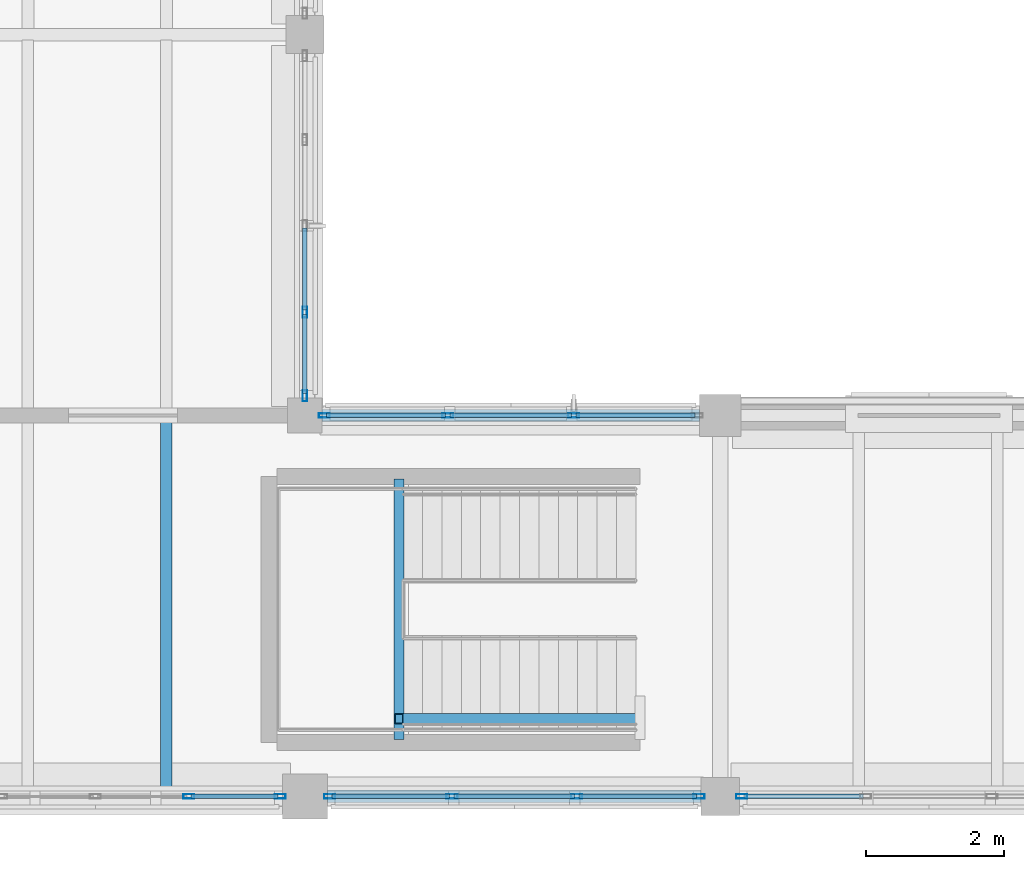
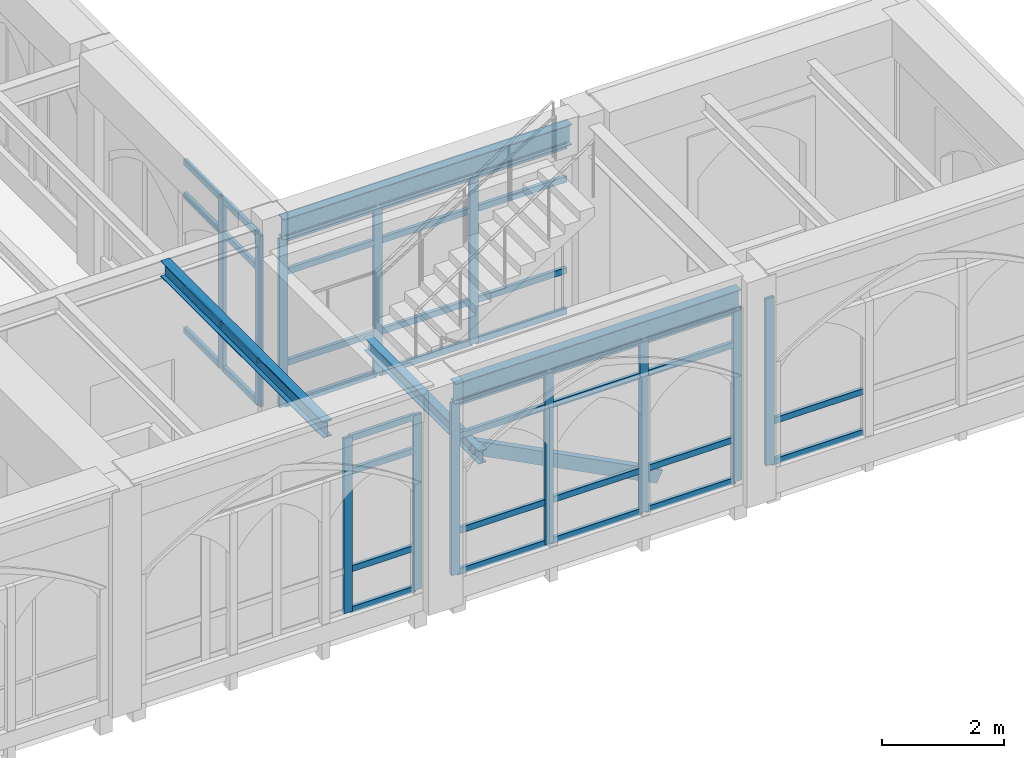
# One storey, part 36 of 127: 51 members, 4 beams, 5 elements without a shape of their own.
"""IFC4 building model written with IfcOpenShell, lengths in metres."""

from ifc_helpers import new_model, si_unit, direction, frame, origin, origin_2d, place, context, subcontext, project, spatial, hollow_rectangle, i_section, extrude, material, layer, layer_set, material_profile, profile_set, type_object, element, aggregate, save


model = new_model("IFC4")

# Units and contexts
model_context = context("Model", 3, precision=1e-05, world=origin(), true_north=direction((0.0, 1.0)))
body_context = subcontext(model_context, "Body", "Model", "MODEL_VIEW")
ifc_project = project(units=[si_unit("LENGTHUNIT", "METRE"), si_unit("AREAUNIT", "SQUARE_METRE"), si_unit("VOLUMEUNIT", "CUBIC_METRE"), si_unit("PLANEANGLEUNIT", "RADIAN"), si_unit("MASSUNIT", "GRAM", prefix="KILO")], contexts=[model_context])

# Site, building, storey
site_placement = place(None, origin())
site = spatial("IfcSite", under=ifc_project, at=site_placement, CompositionType="ELEMENT")
building_placement = place(site_placement, origin())
building = spatial("IfcBuilding", under=site, at=building_placement, Name="Cumevento Cable Car Station", CompositionType="ELEMENT")
storey_placement = place(building_placement, frame((0.0, 0.0, 4.5)))
storey = spatial("IfcBuildingStorey", under=building, at=storey_placement, Name="L02", CompositionType="ELEMENT", Elevation=4.5)

# Curtain wall, members
ifc_material_1 = material(Name="Anodised Bronze Aluminium AW-6063-T6", Category="aluminium")
ifc_layer_1 = layer(ifc_material_1, 0.23193359375)
ifc_layer_set_1 = layer_set([ifc_layer_1], Name="Anodised Bronze Aluminium AW-6063-T6")
curtain_wall_type_1 = type_object("IfcCurtainWallType", Name="Lancet Curtain Wall CW-13 1530", PredefinedType="NOTDEFINED", material=ifc_layer_set_1)
curtain_wall_1_placement = place(storey_placement, origin())
curtain_wall_1 = element("IfcCurtainWall", 1, at=curtain_wall_1_placement, inside=storey, type_object=curtain_wall_type_1, Name="Lancet Curtain Wall CW-13 L02 #28", PredefinedType="NOTDEFINED")
ifc_material_2 = material(Name="Anodised Bronze Aluminium AW-6063-T6", Category="aluminium")
ifc_material_profile_1 = material_profile(ifc_material_2, hollow_rectangle(XDim=0.06494140625, YDim=0.159912109375, WallThickness=0.00390625, at=origin_2d()), Name="ALUM65x160x4")
ifc_profile_set_1 = profile_set([ifc_material_profile_1], Name="Anodised Bronze Aluminium AW-6063-T6")
member_type_1 = type_object("IfcMemberType", Name="Curtain Mullion CWM-01 ALUM65x160x4", PredefinedType="MULLION", material=ifc_profile_set_1)
member_1_placement = place(storey_placement, frame((69.642578125, 4.0, 0.360107421875), z_axis=(0.0, 0.0, 1.0), x_axis=(0.0, -1.0, 0.0)))
member_1 = element("IfcMember", 2, at=member_1_placement, type_object=member_type_1, Name="CW-13 mullion 1", PredefinedType="MULLION", context=body_context, shape_type="SweptSolid", body=[
    extrude(hollow_rectangle(XDim=0.06494140625, YDim=0.159912109375, WallThickness=0.00390625, at=origin_2d()), origin(), (0.0, 0.0, 1.0), 3.496826171875),
])
member_2_placement = place(storey_placement, frame((68.324951171875, 4.0, 0.360107421875), z_axis=(0.0, 0.0, 1.0), x_axis=(0.0, -1.0, 0.0)))
member_2 = element("IfcMember", 3, at=member_2_placement, type_object=member_type_1, Name="CW-13 mullion 2", PredefinedType="MULLION", context=body_context, shape_type="SweptSolid", body=[
    extrude(hollow_rectangle(XDim=0.06494140625, YDim=0.159912109375, WallThickness=0.00390625, at=origin_2d()), origin(), (0.0, 0.0, 1.0), 3.496826171875),
])

ifc_material_3 = material(Name="Anodised Bronze Aluminium AW-6063-T6", Category="aluminium")
ifc_layer_2 = layer(ifc_material_3, 0.238037109375)
ifc_layer_set_2 = layer_set([ifc_layer_2], Name="Anodised Bronze Aluminium AW-6063-T6")
curtain_wall_type_2 = type_object("IfcCurtainWallType", Name="Lancet Curtain Wall CW-14 1570", PredefinedType="NOTDEFINED", material=ifc_layer_set_2)
curtain_wall_2_placement = place(storey_placement, origin())
curtain_wall_2 = element("IfcCurtainWall", 4, at=curtain_wall_2_placement, inside=storey, type_object=curtain_wall_type_2, Name="Lancet Curtain Wall CW-14 L02 #29", PredefinedType="NOTDEFINED")
member_3_placement = place(storey_placement, frame((75.6923828125, 4.0, 0.409912109375), z_axis=(0.0, 0.0, 1.0), x_axis=(0.0, -1.0, 0.0)))
member_3 = element("IfcMember", 5, at=member_3_placement, type_object=member_type_1, Name="CW-14 mullion 1", PredefinedType="MULLION", context=body_context, shape_type="SweptSolid", body=[
    extrude(hollow_rectangle(XDim=0.06494140625, YDim=0.159912109375, WallThickness=0.00390625, at=origin_2d()), origin(), (0.0, 0.0, 1.0), 3.447021484375),
])
member_4_placement = place(storey_placement, frame((73.925048828125, 4.0, 0.409912109375), z_axis=(0.0, 0.0, 1.0), x_axis=(0.0, -1.0, 0.0)))
member_4 = element("IfcMember", 6, at=member_4_placement, type_object=member_type_1, Name="CW-14 mullion 2", PredefinedType="MULLION", context=body_context, shape_type="SweptSolid", body=[
    extrude(hollow_rectangle(XDim=0.06494140625, YDim=0.159912109375, WallThickness=0.00390625, at=origin_2d()), origin(), (0.0, 0.0, 1.0), 3.447021484375),
])
member_5_placement = place(storey_placement, frame((72.125, 4.0, 0.409912109375), z_axis=(0.0, 0.0, 1.0), x_axis=(0.0, -1.0, 0.0)))
member_5 = element("IfcMember", 7, at=member_5_placement, type_object=member_type_1, Name="CW-14 mullion 3", PredefinedType="MULLION", context=body_context, shape_type="SweptSolid", body=[
    extrude(hollow_rectangle(XDim=0.06494140625, YDim=0.159912109375, WallThickness=0.00390625, at=origin_2d()), origin(), (0.0, 0.0, 1.0), 3.447021484375),
])
member_6_placement = place(storey_placement, frame((70.357421875, 4.0, 0.409912109375), z_axis=(0.0, 0.0, 1.0), x_axis=(0.0, -1.0, 0.0)))
member_6 = element("IfcMember", 8, at=member_6_placement, type_object=member_type_1, Name="CW-14 mullion 4", PredefinedType="MULLION", context=body_context, shape_type="SweptSolid", body=[
    extrude(hollow_rectangle(XDim=0.06494140625, YDim=0.159912109375, WallThickness=0.00390625, at=origin_2d()), origin(), (0.0, 0.0, 1.0), 3.447021484375),
])

ifc_material_4 = material(Name="Anodised Bronze Aluminium AW-6063-T6", Category="aluminium")
ifc_layer_3 = layer(ifc_material_4, 0.243896484375)
ifc_layer_set_3 = layer_set([ifc_layer_3], Name="Anodised Bronze Aluminium AW-6063-T6")
curtain_wall_type_3 = type_object("IfcCurtainWallType", Name="Lancet Curtain Wall CW-15 1610", PredefinedType="NOTDEFINED", material=ifc_layer_set_3)
curtain_wall_3_placement = place(storey_placement, origin())
curtain_wall_3 = element("IfcCurtainWall", 9, at=curtain_wall_3_placement, inside=storey, type_object=curtain_wall_type_3, Name="Lancet Curtain Wall CW-15 L02 #30", PredefinedType="NOTDEFINED")
member_7_placement = place(storey_placement, frame((70.282470703125, 9.5, 0.4599609375), z_axis=(0.0, 0.0, 1.0), x_axis=(0.0, 1.0, 0.0)))
member_7 = element("IfcMember", 10, at=member_7_placement, type_object=member_type_1, Name="CW-15 mullion 1", PredefinedType="MULLION", context=body_context, shape_type="SweptSolid", body=[
    extrude(hollow_rectangle(XDim=0.06494140625, YDim=0.159912109375, WallThickness=0.00390625, at=origin_2d()), origin(), (0.0, 0.0, 1.0), 3.373046875),
])
member_8_placement = place(storey_placement, frame((72.066650390625, 9.5, 0.4599609375), z_axis=(0.0, 0.0, 1.0), x_axis=(0.0, 1.0, 0.0)))
member_8 = element("IfcMember", 11, at=member_8_placement, type_object=member_type_1, Name="CW-15 mullion 2", PredefinedType="MULLION", context=body_context, shape_type="SweptSolid", body=[
    extrude(hollow_rectangle(XDim=0.06494140625, YDim=0.159912109375, WallThickness=0.00390625, at=origin_2d()), origin(), (0.0, 0.0, 1.0), 3.373046875),
])
member_9_placement = place(storey_placement, frame((73.88330078125, 9.5, 0.4599609375), z_axis=(0.0, 0.0, 1.0), x_axis=(0.0, 1.0, 0.0)))
member_9 = element("IfcMember", 12, at=member_9_placement, type_object=member_type_1, Name="CW-15 mullion 3", PredefinedType="MULLION", context=body_context, shape_type="SweptSolid", body=[
    extrude(hollow_rectangle(XDim=0.06494140625, YDim=0.159912109375, WallThickness=0.00390625, at=origin_2d()), origin(), (0.0, 0.0, 1.0), 3.373046875),
])

# Curtain wall, member
ifc_material_5 = material(Name="Anodised Bronze Aluminium AW-6063-T6", Category="aluminium")
ifc_layer_4 = layer(ifc_material_5, 0.25)
ifc_layer_set_4 = layer_set([ifc_layer_4], Name="Anodised Bronze Aluminium AW-6063-T6")
curtain_wall_type_4 = type_object("IfcCurtainWallType", Name="Lancet Curtain Wall CW-16 1650", PredefinedType="NOTDEFINED", material=ifc_layer_set_4)
curtain_wall_4_placement = place(storey_placement, origin())
curtain_wall_4 = element("IfcCurtainWall", 13, at=curtain_wall_4_placement, inside=storey, type_object=curtain_wall_type_4, Name="Lancet Curtain Wall CW-16 L02 #31", PredefinedType="NOTDEFINED")
member_10_placement = place(storey_placement, frame((76.3076171875, 4.0, 0.52001953125), z_axis=(0.0, 0.0, 1.0), x_axis=(0.0, -1.0, 0.0)))
member_10 = element("IfcMember", 14, at=member_10_placement, type_object=member_type_1, Name="CW-16 mullion 4", PredefinedType="MULLION", context=body_context, shape_type="SweptSolid", body=[
    extrude(hollow_rectangle(XDim=0.06494140625, YDim=0.159912109375, WallThickness=0.00390625, at=origin_2d()), origin(), (0.0, 0.0, 1.0), 3.3369140625),
])

# Curtain wall, members
ifc_material_6 = material(Name="Anodised Bronze Aluminium AW-6063-T6", Category="aluminium")
ifc_layer_5 = layer(ifc_material_6, 0.18994140625)
ifc_layer_set_5 = layer_set([ifc_layer_5], Name="Anodised Bronze Aluminium AW-6063-T6")
curtain_wall_type_5 = type_object("IfcCurtainWallType", Name="Lancet Curtain Wall CW-06 1250", PredefinedType="NOTDEFINED", material=ifc_layer_set_5)
curtain_wall_5_placement = place(storey_placement, origin())
curtain_wall_5 = element("IfcCurtainWall", 15, at=curtain_wall_5_placement, inside=storey, type_object=curtain_wall_type_5, Name="Lancet Curtain Wall CW-06 L02 #37", PredefinedType="NOTDEFINED")
member_11_placement = place(storey_placement, frame((70.0, 10.99365234375, 0.409912109375), z_axis=(0.0, 0.0, 1.0), x_axis=(1.0, 0.0, 0.0)))
member_11 = element("IfcMember", 16, at=member_11_placement, type_object=member_type_1, Name="CW-06 mullion 4", PredefinedType="MULLION", context=body_context, shape_type="SweptSolid", body=[
    extrude(hollow_rectangle(XDim=0.06494140625, YDim=0.159912109375, WallThickness=0.00390625, at=origin_2d()), origin(), (0.0, 0.0, 1.0), 3.423095703125),
])
member_12_placement = place(storey_placement, frame((70.0, 9.782470703125, 0.409912109375), z_axis=(0.0, 0.0, 1.0), x_axis=(1.0, 0.0, 0.0)))
member_12 = element("IfcMember", 17, at=member_12_placement, type_object=member_type_1, Name="CW-06 mullion 5", PredefinedType="MULLION", context=body_context, shape_type="SweptSolid", body=[
    extrude(hollow_rectangle(XDim=0.06494140625, YDim=0.159912109375, WallThickness=0.00390625, at=origin_2d()), origin(), (0.0, 0.0, 1.0), 3.423095703125),
])

# Member
ifc_material_7 = material(Name="Anodised Bronze Aluminium AW-6063-T6", Category="aluminium")
ifc_material_profile_2 = material_profile(ifc_material_7, hollow_rectangle(XDim=0.06494140625, YDim=0.1201171875, WallThickness=0.00390625, at=origin_2d()), Name="ALUT65x120x4")
ifc_profile_set_2 = profile_set([ifc_material_profile_2], Name="Anodised Bronze Aluminium AW-6063-T6")
member_type_2 = type_object("IfcMemberType", Name="Curtain Transom CWT-01 ALUT65x120x4", PredefinedType="USERDEFINED", material=ifc_profile_set_2)
member_13_placement = place(storey_placement, frame((69.610107421875, 4.0, 0.392578125), z_axis=(-1.0, 0.0, 0.0), x_axis=(0.0, -1.0, 0.0)))
member_13 = element("IfcMember", 18, at=member_13_placement, type_object=member_type_2, Name="CW-13 transom 1.1", ObjectType="TRANSOM", PredefinedType="USERDEFINED", context=body_context, shape_type="SweptSolid", body=[
    extrude(hollow_rectangle(XDim=0.06494140625, YDim=0.1201171875, WallThickness=0.00390625, at=origin_2d()), origin(), (0.0, 0.0, 1.0), 1.252685546875),
])

member_14_placement = place(storey_placement, frame((69.610107421875, 4.0, 1.2099609375), z_axis=(-1.0, 0.0, 0.0), x_axis=(0.0, -1.0, 0.0)))
member_14 = element("IfcMember", 19, at=member_14_placement, type_object=member_type_2, Name="CW-13 transom 1.2", ObjectType="TRANSOM", PredefinedType="USERDEFINED", context=body_context, shape_type="SweptSolid", body=[
    extrude(hollow_rectangle(XDim=0.06494140625, YDim=0.1201171875, WallThickness=0.00390625, at=origin_2d()), origin(), (0.0, 0.0, 1.0), 1.252685546875),
])

member_15_placement = place(storey_placement, frame((69.610107421875, 4.0, 3.156982421875), z_axis=(-1.0, 0.0, 0.0), x_axis=(0.0, -1.0, 0.0)))
member_15 = element("IfcMember", 20, at=member_15_placement, type_object=member_type_2, Name="CW-13 transom 1.3", ObjectType="TRANSOM", PredefinedType="USERDEFINED", context=body_context, shape_type="SweptSolid", body=[
    extrude(hollow_rectangle(XDim=0.06494140625, YDim=0.1201171875, WallThickness=0.00390625, at=origin_2d()), origin(), (0.0, 0.0, 1.0), 1.252685546875),
])

member_16_placement = place(storey_placement, frame((69.610107421875, 4.0, 3.824462890625), z_axis=(-1.0, 0.0, 0.0), x_axis=(0.0, -1.0, 0.0)))
member_16 = element("IfcMember", 21, at=member_16_placement, type_object=member_type_2, Name="CW-13 transom 1.4", ObjectType="TRANSOM", PredefinedType="USERDEFINED", context=body_context, shape_type="SweptSolid", body=[
    extrude(hollow_rectangle(XDim=0.06494140625, YDim=0.1201171875, WallThickness=0.00390625, at=origin_2d()), origin(), (0.0, 0.0, 1.0), 1.252685546875),
])

aggregate(curtain_wall_1, [member_1, member_2, member_13, member_14, member_15, member_16])

member_17_placement = place(storey_placement, frame((75.659912109375, 4.0, 0.4423828125), z_axis=(-1.0, 0.0, 0.0), x_axis=(0.0, -1.0, 0.0)))
member_17 = element("IfcMember", 22, at=member_17_placement, type_object=member_type_2, Name="CW-14 transom 1.1", ObjectType="TRANSOM", PredefinedType="USERDEFINED", context=body_context, shape_type="SweptSolid", body=[
    extrude(hollow_rectangle(XDim=0.06494140625, YDim=0.1201171875, WallThickness=0.00390625, at=origin_2d()), origin(), (0.0, 0.0, 1.0), 1.702392578125),
])

member_18_placement = place(storey_placement, frame((75.659912109375, 4.0, 1.260009765625), z_axis=(-1.0, 0.0, 0.0), x_axis=(0.0, -1.0, 0.0)))
member_18 = element("IfcMember", 23, at=member_18_placement, type_object=member_type_2, Name="CW-14 transom 1.2", ObjectType="TRANSOM", PredefinedType="USERDEFINED", context=body_context, shape_type="SweptSolid", body=[
    extrude(hollow_rectangle(XDim=0.06494140625, YDim=0.1201171875, WallThickness=0.00390625, at=origin_2d()), origin(), (0.0, 0.0, 1.0), 1.702392578125),
])

member_19_placement = place(storey_placement, frame((75.659912109375, 4.0, 3.156982421875), z_axis=(-1.0, 0.0, 0.0), x_axis=(0.0, -1.0, 0.0)))
member_19 = element("IfcMember", 24, at=member_19_placement, type_object=member_type_2, Name="CW-14 transom 1.3", ObjectType="TRANSOM", PredefinedType="USERDEFINED", context=body_context, shape_type="SweptSolid", body=[
    extrude(hollow_rectangle(XDim=0.06494140625, YDim=0.1201171875, WallThickness=0.00390625, at=origin_2d()), origin(), (0.0, 0.0, 1.0), 1.702392578125),
])

member_20_placement = place(storey_placement, frame((75.659912109375, 4.0, 3.824462890625), z_axis=(-1.0, 0.0, 0.0), x_axis=(0.0, -1.0, 0.0)))
member_20 = element("IfcMember", 25, at=member_20_placement, type_object=member_type_2, Name="CW-14 transom 1.4", ObjectType="TRANSOM", PredefinedType="USERDEFINED", context=body_context, shape_type="SweptSolid", body=[
    extrude(hollow_rectangle(XDim=0.06494140625, YDim=0.1201171875, WallThickness=0.00390625, at=origin_2d()), origin(), (0.0, 0.0, 1.0), 1.702392578125),
])

member_21_placement = place(storey_placement, frame((73.892578125, 4.0, 0.4423828125), z_axis=(-1.0, 0.0, 0.0), x_axis=(0.0, -1.0, 0.0)))
member_21 = element("IfcMember", 26, at=member_21_placement, type_object=member_type_2, Name="CW-14 transom 2.1", ObjectType="TRANSOM", PredefinedType="USERDEFINED", context=body_context, shape_type="SweptSolid", body=[
    extrude(hollow_rectangle(XDim=0.06494140625, YDim=0.1201171875, WallThickness=0.00390625, at=origin_2d()), origin(), (0.0, 0.0, 1.0), 1.735107421875),
])

member_22_placement = place(storey_placement, frame((73.892578125, 4.0, 1.260009765625), z_axis=(-1.0, 0.0, 0.0), x_axis=(0.0, -1.0, 0.0)))
member_22 = element("IfcMember", 27, at=member_22_placement, type_object=member_type_2, Name="CW-14 transom 2.2", ObjectType="TRANSOM", PredefinedType="USERDEFINED", context=body_context, shape_type="SweptSolid", body=[
    extrude(hollow_rectangle(XDim=0.06494140625, YDim=0.1201171875, WallThickness=0.00390625, at=origin_2d()), origin(), (0.0, 0.0, 1.0), 1.735107421875),
])

member_23_placement = place(storey_placement, frame((73.892578125, 4.0, 3.156982421875), z_axis=(-1.0, 0.0, 0.0), x_axis=(0.0, -1.0, 0.0)))
member_23 = element("IfcMember", 28, at=member_23_placement, type_object=member_type_2, Name="CW-14 transom 2.3", ObjectType="TRANSOM", PredefinedType="USERDEFINED", context=body_context, shape_type="SweptSolid", body=[
    extrude(hollow_rectangle(XDim=0.06494140625, YDim=0.1201171875, WallThickness=0.00390625, at=origin_2d()), origin(), (0.0, 0.0, 1.0), 1.735107421875),
])

member_24_placement = place(storey_placement, frame((73.892578125, 4.0, 3.824462890625), z_axis=(-1.0, 0.0, 0.0), x_axis=(0.0, -1.0, 0.0)))
member_24 = element("IfcMember", 29, at=member_24_placement, type_object=member_type_2, Name="CW-14 transom 2.4", ObjectType="TRANSOM", PredefinedType="USERDEFINED", context=body_context, shape_type="SweptSolid", body=[
    extrude(hollow_rectangle(XDim=0.06494140625, YDim=0.1201171875, WallThickness=0.00390625, at=origin_2d()), origin(), (0.0, 0.0, 1.0), 1.735107421875),
])

member_25_placement = place(storey_placement, frame((72.092529296875, 4.0, 0.4423828125), z_axis=(-1.0, 0.0, 0.0), x_axis=(0.0, -1.0, 0.0)))
member_25 = element("IfcMember", 30, at=member_25_placement, type_object=member_type_2, Name="CW-14 transom 3.1", ObjectType="TRANSOM", PredefinedType="USERDEFINED", context=body_context, shape_type="SweptSolid", body=[
    extrude(hollow_rectangle(XDim=0.06494140625, YDim=0.1201171875, WallThickness=0.00390625, at=origin_2d()), origin(), (0.0, 0.0, 1.0), 1.70263671875),
])

member_26_placement = place(storey_placement, frame((72.092529296875, 4.0, 1.260009765625), z_axis=(-1.0, 0.0, 0.0), x_axis=(0.0, -1.0, 0.0)))
member_26 = element("IfcMember", 31, at=member_26_placement, type_object=member_type_2, Name="CW-14 transom 3.2", ObjectType="TRANSOM", PredefinedType="USERDEFINED", context=body_context, shape_type="SweptSolid", body=[
    extrude(hollow_rectangle(XDim=0.06494140625, YDim=0.1201171875, WallThickness=0.00390625, at=origin_2d()), origin(), (0.0, 0.0, 1.0), 1.70263671875),
])

member_27_placement = place(storey_placement, frame((72.092529296875, 4.0, 3.156982421875), z_axis=(-1.0, 0.0, 0.0), x_axis=(0.0, -1.0, 0.0)))
member_27 = element("IfcMember", 32, at=member_27_placement, type_object=member_type_2, Name="CW-14 transom 3.3", ObjectType="TRANSOM", PredefinedType="USERDEFINED", context=body_context, shape_type="SweptSolid", body=[
    extrude(hollow_rectangle(XDim=0.06494140625, YDim=0.1201171875, WallThickness=0.00390625, at=origin_2d()), origin(), (0.0, 0.0, 1.0), 1.70263671875),
])

member_28_placement = place(storey_placement, frame((72.092529296875, 4.0, 3.824462890625), z_axis=(-1.0, 0.0, 0.0), x_axis=(0.0, -1.0, 0.0)))
member_28 = element("IfcMember", 33, at=member_28_placement, type_object=member_type_2, Name="CW-14 transom 3.4", ObjectType="TRANSOM", PredefinedType="USERDEFINED", context=body_context, shape_type="SweptSolid", body=[
    extrude(hollow_rectangle(XDim=0.06494140625, YDim=0.1201171875, WallThickness=0.00390625, at=origin_2d()), origin(), (0.0, 0.0, 1.0), 1.70263671875),
])

aggregate(curtain_wall_2, [member_3, member_4, member_5, member_6, member_17, member_18, member_19, member_20, member_21, member_22, member_23, member_24, member_25, member_26, member_27, member_28])

member_29_placement = place(storey_placement, frame((70.31494140625, 9.5, 0.492431640625), z_axis=(1.0, 0.0, 0.0), x_axis=(0.0, 1.0, 0.0)))
member_29 = element("IfcMember", 34, at=member_29_placement, type_object=member_type_2, Name="CW-15 transom 1.1", ObjectType="TRANSOM", PredefinedType="USERDEFINED", context=body_context, shape_type="SweptSolid", body=[
    extrude(hollow_rectangle(XDim=0.06494140625, YDim=0.1201171875, WallThickness=0.00390625, at=origin_2d()), origin(), (0.0, 0.0, 1.0), 1.71923828125),
])

member_30_placement = place(storey_placement, frame((70.31494140625, 9.5, 1.31005859375), z_axis=(1.0, 0.0, 0.0), x_axis=(0.0, 1.0, 0.0)))
member_30 = element("IfcMember", 35, at=member_30_placement, type_object=member_type_2, Name="CW-15 transom 1.2", ObjectType="TRANSOM", PredefinedType="USERDEFINED", context=body_context, shape_type="SweptSolid", body=[
    extrude(hollow_rectangle(XDim=0.06494140625, YDim=0.1201171875, WallThickness=0.00390625, at=origin_2d()), origin(), (0.0, 0.0, 1.0), 1.71923828125),
])

member_31_placement = place(storey_placement, frame((70.31494140625, 9.5, 3.133056640625), z_axis=(1.0, 0.0, 0.0), x_axis=(0.0, 1.0, 0.0)))
member_31 = element("IfcMember", 36, at=member_31_placement, type_object=member_type_2, Name="CW-15 transom 1.3", ObjectType="TRANSOM", PredefinedType="USERDEFINED", context=body_context, shape_type="SweptSolid", body=[
    extrude(hollow_rectangle(XDim=0.06494140625, YDim=0.1201171875, WallThickness=0.00390625, at=origin_2d()), origin(), (0.0, 0.0, 1.0), 1.71923828125),
])

member_32_placement = place(storey_placement, frame((70.31494140625, 9.5, 3.800537109375), z_axis=(1.0, 0.0, 0.0), x_axis=(0.0, 1.0, 0.0)))
member_32 = element("IfcMember", 37, at=member_32_placement, type_object=member_type_2, Name="CW-15 transom 1.4", ObjectType="TRANSOM", PredefinedType="USERDEFINED", context=body_context, shape_type="SweptSolid", body=[
    extrude(hollow_rectangle(XDim=0.06494140625, YDim=0.1201171875, WallThickness=0.00390625, at=origin_2d()), origin(), (0.0, 0.0, 1.0), 1.71923828125),
])

member_33_placement = place(storey_placement, frame((72.09912109375, 9.5, 0.492431640625), z_axis=(1.0, 0.0, 0.0), x_axis=(0.0, 1.0, 0.0)))
member_33 = element("IfcMember", 38, at=member_33_placement, type_object=member_type_2, Name="CW-15 transom 2.1", ObjectType="TRANSOM", PredefinedType="USERDEFINED", context=body_context, shape_type="SweptSolid", body=[
    extrude(hollow_rectangle(XDim=0.06494140625, YDim=0.1201171875, WallThickness=0.00390625, at=origin_2d()), origin(), (0.0, 0.0, 1.0), 1.751708984375),
])

member_34_placement = place(storey_placement, frame((72.09912109375, 9.5, 1.31005859375), z_axis=(1.0, 0.0, 0.0), x_axis=(0.0, 1.0, 0.0)))
member_34 = element("IfcMember", 39, at=member_34_placement, type_object=member_type_2, Name="CW-15 transom 2.2", ObjectType="TRANSOM", PredefinedType="USERDEFINED", context=body_context, shape_type="SweptSolid", body=[
    extrude(hollow_rectangle(XDim=0.06494140625, YDim=0.1201171875, WallThickness=0.00390625, at=origin_2d()), origin(), (0.0, 0.0, 1.0), 1.751708984375),
])

member_35_placement = place(storey_placement, frame((72.09912109375, 9.5, 3.133056640625), z_axis=(1.0, 0.0, 0.0), x_axis=(0.0, 1.0, 0.0)))
member_35 = element("IfcMember", 40, at=member_35_placement, type_object=member_type_2, Name="CW-15 transom 2.3", ObjectType="TRANSOM", PredefinedType="USERDEFINED", context=body_context, shape_type="SweptSolid", body=[
    extrude(hollow_rectangle(XDim=0.06494140625, YDim=0.1201171875, WallThickness=0.00390625, at=origin_2d()), origin(), (0.0, 0.0, 1.0), 1.751708984375),
])

member_36_placement = place(storey_placement, frame((72.09912109375, 9.5, 3.800537109375), z_axis=(1.0, 0.0, 0.0), x_axis=(0.0, 1.0, 0.0)))
member_36 = element("IfcMember", 41, at=member_36_placement, type_object=member_type_2, Name="CW-15 transom 2.4", ObjectType="TRANSOM", PredefinedType="USERDEFINED", context=body_context, shape_type="SweptSolid", body=[
    extrude(hollow_rectangle(XDim=0.06494140625, YDim=0.1201171875, WallThickness=0.00390625, at=origin_2d()), origin(), (0.0, 0.0, 1.0), 1.751708984375),
])

member_37_placement = place(storey_placement, frame((73.915771484375, 9.5, 0.492431640625), z_axis=(1.0, 0.0, 0.0), x_axis=(0.0, 1.0, 0.0)))
member_37 = element("IfcMember", 42, at=member_37_placement, type_object=member_type_2, Name="CW-15 transom 3.1", ObjectType="TRANSOM", PredefinedType="USERDEFINED", context=body_context, shape_type="SweptSolid", body=[
    extrude(hollow_rectangle(XDim=0.06494140625, YDim=0.1201171875, WallThickness=0.00390625, at=origin_2d()), origin(), (0.0, 0.0, 1.0), 1.71923828125),
])

member_38_placement = place(storey_placement, frame((73.915771484375, 9.5, 1.31005859375), z_axis=(1.0, 0.0, 0.0), x_axis=(0.0, 1.0, 0.0)))
member_38 = element("IfcMember", 43, at=member_38_placement, type_object=member_type_2, Name="CW-15 transom 3.2", ObjectType="TRANSOM", PredefinedType="USERDEFINED", context=body_context, shape_type="SweptSolid", body=[
    extrude(hollow_rectangle(XDim=0.06494140625, YDim=0.1201171875, WallThickness=0.00390625, at=origin_2d()), origin(), (0.0, 0.0, 1.0), 1.71923828125),
])

member_39_placement = place(storey_placement, frame((73.915771484375, 9.5, 3.133056640625), z_axis=(1.0, 0.0, 0.0), x_axis=(0.0, 1.0, 0.0)))
member_39 = element("IfcMember", 44, at=member_39_placement, type_object=member_type_2, Name="CW-15 transom 3.3", ObjectType="TRANSOM", PredefinedType="USERDEFINED", context=body_context, shape_type="SweptSolid", body=[
    extrude(hollow_rectangle(XDim=0.06494140625, YDim=0.1201171875, WallThickness=0.00390625, at=origin_2d()), origin(), (0.0, 0.0, 1.0), 1.71923828125),
])

member_40_placement = place(storey_placement, frame((73.915771484375, 9.5, 3.800537109375), z_axis=(1.0, 0.0, 0.0), x_axis=(0.0, 1.0, 0.0)))
member_40 = element("IfcMember", 45, at=member_40_placement, type_object=member_type_2, Name="CW-15 transom 3.4", ObjectType="TRANSOM", PredefinedType="USERDEFINED", context=body_context, shape_type="SweptSolid", body=[
    extrude(hollow_rectangle(XDim=0.06494140625, YDim=0.1201171875, WallThickness=0.00390625, at=origin_2d()), origin(), (0.0, 0.0, 1.0), 1.71923828125),
])

aggregate(curtain_wall_3, [member_7, member_8, member_9, member_29, member_30, member_31, member_32, member_33, member_34, member_35, member_36, member_37, member_38, member_39, member_40])

member_41_placement = place(storey_placement, frame((78.0673828125, 4.0, 0.552490234375), z_axis=(-1.0, 0.0, 0.0), x_axis=(0.0, -1.0, 0.0)))
member_41 = element("IfcMember", 46, at=member_41_placement, type_object=member_type_2, Name="CW-16 transom 3.1", ObjectType="TRANSOM", PredefinedType="USERDEFINED", context=body_context, shape_type="SweptSolid", body=[
    extrude(hollow_rectangle(XDim=0.06494140625, YDim=0.1201171875, WallThickness=0.00390625, at=origin_2d()), origin(), (0.0, 0.0, 1.0), 1.727294921875),
])

member_42_placement = place(storey_placement, frame((78.0673828125, 4.0, 1.3701171875), z_axis=(-1.0, 0.0, 0.0), x_axis=(0.0, -1.0, 0.0)))
member_42 = element("IfcMember", 47, at=member_42_placement, type_object=member_type_2, Name="CW-16 transom 3.2", ObjectType="TRANSOM", PredefinedType="USERDEFINED", context=body_context, shape_type="SweptSolid", body=[
    extrude(hollow_rectangle(XDim=0.06494140625, YDim=0.1201171875, WallThickness=0.00390625, at=origin_2d()), origin(), (0.0, 0.0, 1.0), 1.727294921875),
])

aggregate(curtain_wall_4, [member_10, member_41, member_42])

member_43_placement = place(storey_placement, frame((70.0, 12.205078125, 0.4423828125), z_axis=(0.0, -1.0, 0.0), x_axis=(1.0, 0.0, 0.0)))
member_43 = element("IfcMember", 48, at=member_43_placement, type_object=member_type_2, Name="CW-06 transom 3.1", ObjectType="TRANSOM", PredefinedType="USERDEFINED", context=body_context, shape_type="SweptSolid", body=[
    extrude(hollow_rectangle(XDim=0.06494140625, YDim=0.1201171875, WallThickness=0.00390625, at=origin_2d()), origin(), (0.0, 0.0, 1.0), 1.1787109375),
])

member_44_placement = place(storey_placement, frame((70.0, 12.205078125, 1.260009765625), z_axis=(0.0, -1.0, 0.0), x_axis=(1.0, 0.0, 0.0)))
member_44 = element("IfcMember", 49, at=member_44_placement, type_object=member_type_2, Name="CW-06 transom 3.2", ObjectType="TRANSOM", PredefinedType="USERDEFINED", context=body_context, shape_type="SweptSolid", body=[
    extrude(hollow_rectangle(XDim=0.06494140625, YDim=0.1201171875, WallThickness=0.00390625, at=origin_2d()), origin(), (0.0, 0.0, 1.0), 1.1787109375),
])

member_45_placement = place(storey_placement, frame((70.0, 12.205078125, 3.133056640625), z_axis=(0.0, -1.0, 0.0), x_axis=(1.0, 0.0, 0.0)))
member_45 = element("IfcMember", 50, at=member_45_placement, type_object=member_type_2, Name="CW-06 transom 3.3", ObjectType="TRANSOM", PredefinedType="USERDEFINED", context=body_context, shape_type="SweptSolid", body=[
    extrude(hollow_rectangle(XDim=0.06494140625, YDim=0.1201171875, WallThickness=0.00390625, at=origin_2d()), origin(), (0.0, 0.0, 1.0), 1.1787109375),
])

member_46_placement = place(storey_placement, frame((70.0, 12.205078125, 3.800537109375), z_axis=(0.0, -1.0, 0.0), x_axis=(1.0, 0.0, 0.0)))
member_46 = element("IfcMember", 51, at=member_46_placement, type_object=member_type_2, Name="CW-06 transom 3.4", ObjectType="TRANSOM", PredefinedType="USERDEFINED", context=body_context, shape_type="SweptSolid", body=[
    extrude(hollow_rectangle(XDim=0.06494140625, YDim=0.1201171875, WallThickness=0.00390625, at=origin_2d()), origin(), (0.0, 0.0, 1.0), 1.1787109375),
])

member_47_placement = place(storey_placement, frame((70.0, 10.961181640625, 0.4423828125), z_axis=(0.0, -1.0, 0.0), x_axis=(1.0, 0.0, 0.0)))
member_47 = element("IfcMember", 52, at=member_47_placement, type_object=member_type_2, Name="CW-06 transom 4.1", ObjectType="TRANSOM", PredefinedType="USERDEFINED", context=body_context, shape_type="SweptSolid", body=[
    extrude(hollow_rectangle(XDim=0.06494140625, YDim=0.1201171875, WallThickness=0.00390625, at=origin_2d()), origin(), (0.0, 0.0, 1.0), 1.146240234375),
])

member_48_placement = place(storey_placement, frame((70.0, 10.961181640625, 1.260009765625), z_axis=(0.0, -1.0, 0.0), x_axis=(1.0, 0.0, 0.0)))
member_48 = element("IfcMember", 53, at=member_48_placement, type_object=member_type_2, Name="CW-06 transom 4.2", ObjectType="TRANSOM", PredefinedType="USERDEFINED", context=body_context, shape_type="SweptSolid", body=[
    extrude(hollow_rectangle(XDim=0.06494140625, YDim=0.1201171875, WallThickness=0.00390625, at=origin_2d()), origin(), (0.0, 0.0, 1.0), 1.146240234375),
])

member_49_placement = place(storey_placement, frame((70.0, 10.961181640625, 3.133056640625), z_axis=(0.0, -1.0, 0.0), x_axis=(1.0, 0.0, 0.0)))
member_49 = element("IfcMember", 54, at=member_49_placement, type_object=member_type_2, Name="CW-06 transom 4.3", ObjectType="TRANSOM", PredefinedType="USERDEFINED", context=body_context, shape_type="SweptSolid", body=[
    extrude(hollow_rectangle(XDim=0.06494140625, YDim=0.1201171875, WallThickness=0.00390625, at=origin_2d()), origin(), (0.0, 0.0, 1.0), 1.146240234375),
])

member_50_placement = place(storey_placement, frame((70.0, 10.961181640625, 3.800537109375), z_axis=(0.0, -1.0, 0.0), x_axis=(1.0, 0.0, 0.0)))
member_50 = element("IfcMember", 55, at=member_50_placement, type_object=member_type_2, Name="CW-06 transom 4.4", ObjectType="TRANSOM", PredefinedType="USERDEFINED", context=body_context, shape_type="SweptSolid", body=[
    extrude(hollow_rectangle(XDim=0.06494140625, YDim=0.1201171875, WallThickness=0.00390625, at=origin_2d()), origin(), (0.0, 0.0, 1.0), 1.146240234375),
])

aggregate(curtain_wall_5, [member_11, member_12, member_43, member_44, member_45, member_46, member_47, member_48, member_49, member_50])

ifc_material_8 = material(Name="Steel ASTM A572 Grade 50", Category="steel")
ifc_material_profile_3 = material_profile(ifc_material_8, hollow_rectangle(XDim=0.14990234375, YDim=0.25, WallThickness=0.010009765625, at=origin_2d()), Name="HSS250x150x10.0")
ifc_profile_set_3 = profile_set([ifc_material_profile_3], Name="Steel ASTM A572 Grade 50")
member_type_3 = type_object("IfcMemberType", Name="Framing Stringer SR-01 HSS250x150x10.0", PredefinedType="STRINGER", material=ifc_profile_set_3)
member_51_placement = place(storey_placement, frame((74.840087890625, 5.1201171875, 0.139892578125), z_axis=(-0.888719820565, 0.0, 0.458450739485), x_axis=(0.0, -1.0, 0.0)))
element("IfcMember", 56, at=member_51_placement, inside=storey, type_object=member_type_3, Name="Stair Steel Stringer ST-08 #446", PredefinedType="STRINGER", context=body_context, shape_type="SweptSolid", body=[
    extrude(hollow_rectangle(XDim=0.14990234375, YDim=0.25, WallThickness=0.010009765625, at=origin_2d()), origin(), (0.0, 0.0, 1.0), 3.915771484375),
])

# Beams
ifc_material_9 = material(Name="Steel ASTM A572 Grade 50", Category="steel")
ifc_material_profile_4 = material_profile(ifc_material_9, i_section(OverallWidth=0.14794921875, OverallDepth=0.26611328125, WebThickness=0.007568359375, FlangeThickness=0.012939453125, at=origin_2d()), Name="W250x44.8")
ifc_profile_set_4 = profile_set([ifc_material_profile_4], Name="Steel ASTM A572 Grade 50")
beam_type_1 = type_object("IfcBeamType", Name="Structural Beam BM-07 W250x44.8", PredefinedType="BEAM", material=ifc_profile_set_4)
beam_1_placement = place(storey_placement, frame((71.360107421875, 4.820068359375, 1.902099609375), z_axis=(0.0, 1.0, 0.0), x_axis=(-1.0, 0.0, 0.0)))
element("IfcBeam", 57, at=beam_1_placement, inside=storey, type_object=beam_type_1, Name="Stair Half-Landing Trimmer ST-08", PredefinedType="BEAM", context=body_context, shape_type="SweptSolid", body=[
    extrude(i_section(OverallWidth=0.14794921875, OverallDepth=0.26611328125, WebThickness=0.007568359375, FlangeThickness=0.012939453125, at=origin_2d()), origin(), (0.0, 0.0, 1.0), 3.760009765625),
])
ifc_material_10 = material(Name="Steel ASTM A572 Grade 50", Category="steel")
ifc_material_profile_5 = material_profile(ifc_material_10, i_section(OverallWidth=0.1669921875, OverallDepth=0.31689453125, WebThickness=0.007568359375, FlangeThickness=0.01318359375, at=origin_2d()), Name="W310x52.0")
ifc_profile_set_5 = profile_set([ifc_material_profile_5], Name="Steel ASTM A572 Grade 50")
beam_type_2 = type_object("IfcBeamType", Name="Structural Joist JS-02 W310x52.0", PredefinedType="JOIST", material=ifc_profile_set_5)
beam_2_placement = place(storey_placement, frame((68.0, 4.076904296875, 4.08154296875), z_axis=(0.0, 1.0, 0.0), x_axis=(-1.0, 0.0, 0.0)))
element("IfcBeam", 58, at=beam_2_placement, inside=storey, type_object=beam_type_2, Name="Composite Floor Joist JS-02 L02 #741", PredefinedType="JOIST", context=body_context, shape_type="SweptSolid", body=[
    extrude(i_section(OverallWidth=0.1669921875, OverallDepth=0.31689453125, WebThickness=0.007568359375, FlangeThickness=0.01318359375, at=origin_2d()), origin(), (0.0, 0.0, 1.0), 5.33251953125),
])
ifc_material_11 = material(Name="Steel ASTM A572 Grade 50", Category="steel")
ifc_material_profile_6 = material_profile(ifc_material_11, i_section(OverallWidth=0.177978515625, OverallDepth=0.406982421875, WebThickness=0.0078125, FlangeThickness=0.0126953125, at=origin_2d()), Name="W410x60.0")
ifc_profile_set_6 = profile_set([ifc_material_profile_6], Name="Steel ASTM A572 Grade 50")
beam_type_3 = type_object("IfcBeamType", Name="Structural Spandrel SP-01 W410x60.0", PredefinedType="SPANDREL", material=ifc_profile_set_6)
beam_3_placement = place(storey_placement, frame((70.324951171875, 4.0, 4.060546875), z_axis=(1.0, 0.0, 0.0), x_axis=(0.0, 1.0, 0.0)))
element("IfcBeam", 59, at=beam_3_placement, inside=storey, type_object=beam_type_3, Name="Beam SP-01 L02 #453", PredefinedType="SPANDREL", context=body_context, shape_type="SweptSolid", body=[
    extrude(i_section(OverallWidth=0.177978515625, OverallDepth=0.406982421875, WebThickness=0.0078125, FlangeThickness=0.0126953125, at=origin_2d()), origin(), (0.0, 0.0, 1.0), 5.400146484375),
])
beam_4_placement = place(storey_placement, frame((70.25, 9.5, 4.03662109375), z_axis=(1.0, 0.0, 0.0), x_axis=(0.0, 1.0, 0.0)))
element("IfcBeam", 60, at=beam_4_placement, inside=storey, type_object=beam_type_3, Name="Beam SP-01 L02 #459", PredefinedType="SPANDREL", context=body_context, shape_type="SweptSolid", body=[
    extrude(i_section(OverallWidth=0.177978515625, OverallDepth=0.406982421875, WebThickness=0.0078125, FlangeThickness=0.0126953125, at=origin_2d()), origin(), (0.0, 0.0, 1.0), 5.449951171875),
])

save(model, "model.ifc")
